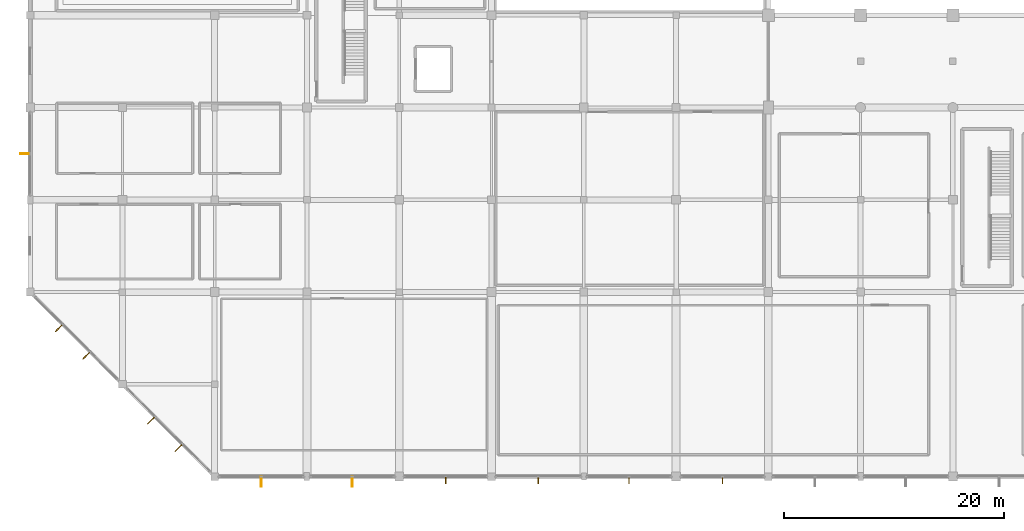
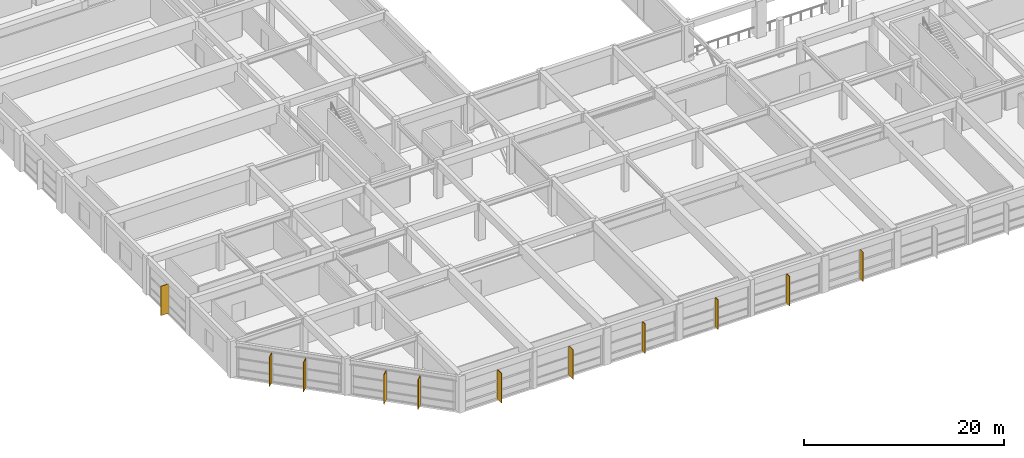
# One storey, part 58 of 65: 11 shading devices.
"""IFC4 building model written with IfcOpenShell, lengths in metres."""

from ifc_helpers import new_model, si_unit, direction, frame, origin, origin_2d, place, context, subcontext, project, spatial, rectangle, extrude, material, type_object, element, save


model = new_model("IFC4")

# Units and contexts
model_context = context("Model", 3, precision=1e-05, world=origin(), true_north=direction((0.0, 1.0)))
body_context = subcontext(model_context, "Body", "Model", "MODEL_VIEW")
ifc_project = project(units=[si_unit("LENGTHUNIT", "METRE"), si_unit("AREAUNIT", "SQUARE_METRE"), si_unit("VOLUMEUNIT", "CUBIC_METRE"), si_unit("PLANEANGLEUNIT", "RADIAN"), si_unit("MASSUNIT", "GRAM", prefix="KILO")], contexts=[model_context])

# Site, building, storey
site_placement = place(None, origin())
site = spatial("IfcSite", under=ifc_project, at=site_placement, CompositionType="ELEMENT")
building_placement = place(site_placement, origin())
building = spatial("IfcBuilding", under=site, at=building_placement, Name="Xuanlan Plaza Opera House", CompositionType="ELEMENT")
storey_placement = place(building_placement, frame((0.0, 0.0, 5.39990234375)))
storey = spatial("IfcBuildingStorey", under=building, at=storey_placement, Name="L01", CompositionType="ELEMENT", Elevation=5.39990234375)

# Shading devices
ifc_material = material(Name="Anodised Aluminium 6063-T6", Category="aluminium")
shading_device_type_1 = type_object("IfcShadingDeviceType", Name="ENV-SHD-BRS01", PredefinedType="JALOUSIE", material=ifc_material)
for number, where, z_axis, x_axis, name in (
    (1, (37.824951171875, -0.324951171875, 0.0400390625), (0.0, 0.0, 1.0), (0.0, -1.0, 0.0), "Parametric Sunshade Fin L01-0040"),
    (2, (46.262451171875, -0.324951171875, 0.0400390625), (0.0, 0.0, 1.0), (0.0, -1.0, 0.0), "Parametric Sunshade Fin L01-0041"),
    (3, (54.512451171875, -0.324951171875, 0.0400390625), (0.0, 0.0, 1.0), (0.0, -1.0, 0.0), "Parametric Sunshade Fin L01-0042"),
    (4, (63.02490234375, -0.324951171875, 0.0400390625), (0.0, 0.0, 1.0), (0.0, -1.0, 0.0), "Parametric Sunshade Fin L01-0043"),
):
    element("IfcShadingDevice", number, at=place(storey_placement, frame(where, z_axis=z_axis, x_axis=x_axis)), inside=storey, type_object=shading_device_type_1, Name=name, PredefinedType="JALOUSIE", context=body_context, shape_type="SweptSolid", body=[
        extrude(rectangle(XDim=0.639892578125, YDim=0.070068359375, at=origin_2d()), origin(), (0.0, 0.0, 1.0), 3.60009765625),
    ])
shading_device_type_2 = type_object("IfcShadingDeviceType", Name="ENV-SHD-BRS02", PredefinedType="JALOUSIE", material=ifc_material)
for number, where, z_axis, x_axis, name in (
    (5, (21.050048828125, -0.465087890625, 0.0400390625), (0.0, 0.0, 1.0), (0.0, -1.0, 0.0), "Parametric Sunshade Fin L01-0038"),
    (6, (29.324951171875, -0.465087890625, 0.0400390625), (0.0, 0.0, 1.0), (0.0, -1.0, 0.0), "Parametric Sunshade Fin L01-0039"),
    (7, (-0.465087890625, 29.387451171875, 0.0400390625), (0.0, 0.0, 1.0), (-1.0, 0.0, 0.0), "Parametric Sunshade Fin L01-0095"),
    (8, (2.620849609375, 13.521484375, 0.0400390625), (0.0, 0.0, 1.0), (-0.707106781187, -0.707106781187, 0.0), "Parametric Sunshade Fin L01-0096"),
    (9, (5.12158203125, 11.02099609375, 0.0400390625), (0.0, 0.0, 1.0), (-0.707106781187, -0.707106781187, 0.0), "Parametric Sunshade Fin L01-0097"),
    (10, (11.02099609375, 5.12158203125, 0.0400390625), (0.0, 0.0, 1.0), (-0.707106781187, -0.707106781187, 0.0), "Parametric Sunshade Fin L01-0098"),
    (11, (13.521484375, 2.620849609375, 0.0400390625), (0.0, 0.0, 1.0), (-0.707106781187, -0.707106781187, 0.0), "Parametric Sunshade Fin L01-0099"),
):
    element("IfcShadingDevice", number, at=place(storey_placement, frame(where, z_axis=z_axis, x_axis=x_axis)), inside=storey, type_object=shading_device_type_2, Name=name, PredefinedType="JALOUSIE", context=body_context, shape_type="SweptSolid", body=[
        extrude(rectangle(XDim=0.919921875, YDim=0.080078125, at=origin_2d()), origin(), (0.0, 0.0, 1.0), 3.60009765625),
    ])

save(model, "model.ifc")
